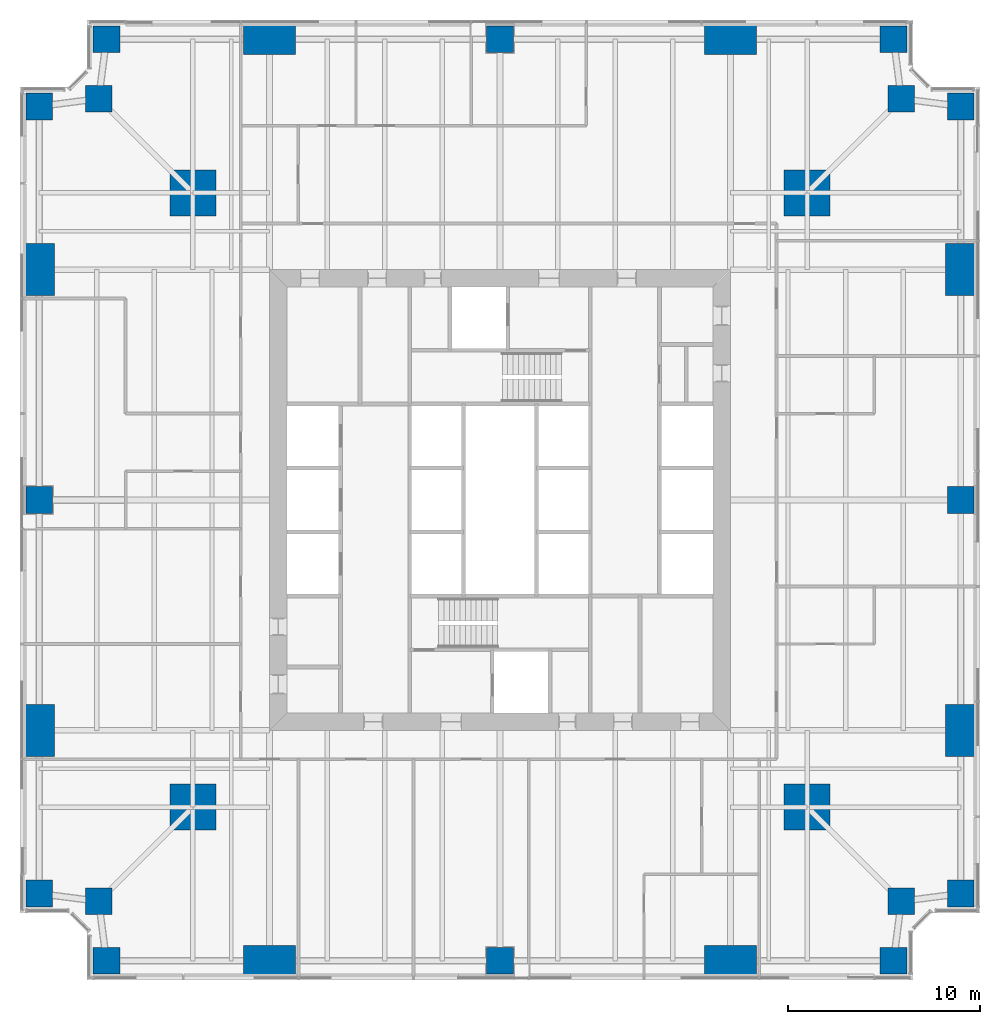
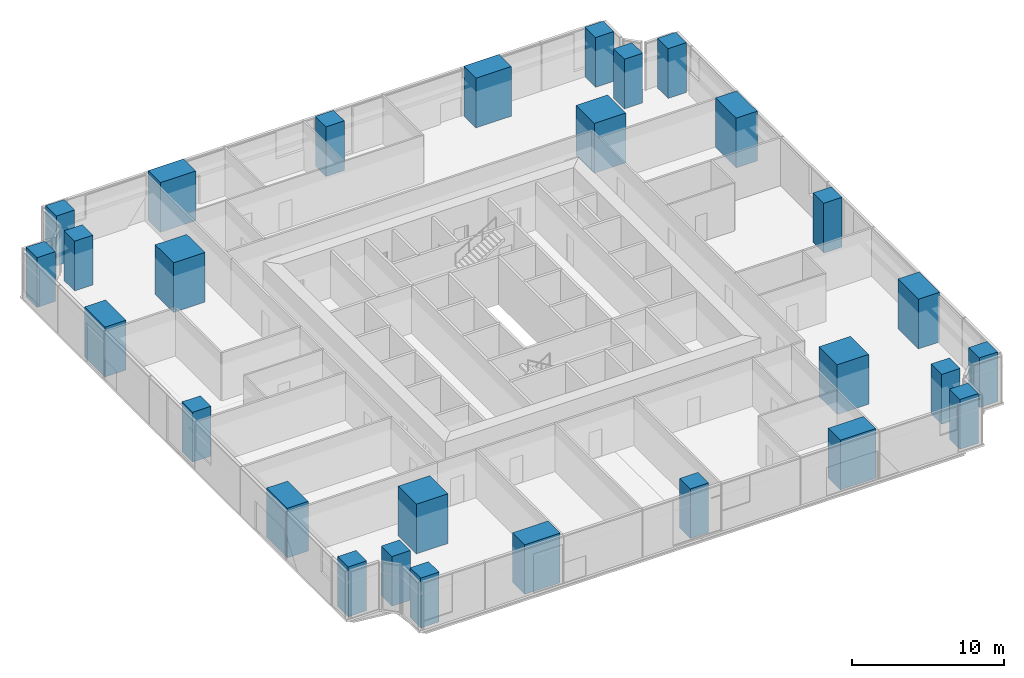
# One storey, part 1 of 14: 28 columns.
"""IFC4 building model written with IfcOpenShell, lengths in metres."""

from ifc_helpers import new_model, si_unit, direction, frame, origin, origin_2d, place, context, subcontext, project, spatial, rectangle, extrude, material, material_profile, profile_set, type_object, element, save


model = new_model("IFC4")

# Units and contexts
model_context = context("Model", 3, precision=1e-05, world=origin(), true_north=direction((0.0, 1.0)))
body_context = subcontext(model_context, "Body", "Model", "MODEL_VIEW")
ifc_project = project(units=[si_unit("LENGTHUNIT", "METRE"), si_unit("AREAUNIT", "SQUARE_METRE"), si_unit("VOLUMEUNIT", "CUBIC_METRE"), si_unit("PLANEANGLEUNIT", "RADIAN"), si_unit("MASSUNIT", "GRAM", prefix="KILO")], contexts=[model_context])

# Site, building, storey
site_placement = place(None, origin())
site = spatial("IfcSite", under=ifc_project, at=site_placement, CompositionType="ELEMENT")
building_placement = place(site_placement, origin())
building = spatial("IfcBuilding", under=site, at=building_placement, Name="Fenwick Lantern Interchange", CompositionType="ELEMENT")
storey_placement = place(building_placement, frame((0.0, 0.0, 71.0)))
storey = spatial("IfcBuildingStorey", under=building, at=storey_placement, Name="L16", CompositionType="ELEMENT", Elevation=71.0)

# Columns
ifc_material = material(Name="Concrete f'c 70 MPa", Category="concrete")
ifc_material_profile_1 = material_profile(ifc_material, rectangle(XDim=2.39990234375, YDim=2.39990234375, at=origin_2d()), Name="RC2400X2400")
ifc_profile_set_1 = profile_set([ifc_material_profile_1], Name="Concrete f'c 70 MPa")
column_type_1 = type_object("IfcColumnType", Name="MEGA COLUMN RC2400X2400", PredefinedType="COLUMN", material=ifc_profile_set_1)
for number, where, z_axis, x_axis, name in (
    (1, (9.0, 9.0, 0.0), (0.0, 0.0, 1.0), (1.0, 0.0, 0.0), "L16/M1"),
    (2, (41.0, 9.0, 0.0), (0.0, 0.0, 1.0), (1.0, 0.0, 0.0), "L16/M2"),
    (3, (41.0, 41.0, 0.0), (0.0, 0.0, 1.0), (1.0, 0.0, 0.0), "L16/M3"),
    (4, (9.0, 41.0, 0.0), (0.0, 0.0, 1.0), (1.0, 0.0, 0.0), "L16/M4"),
):
    element("IfcColumn", number, at=place(storey_placement, frame(where, z_axis=z_axis, x_axis=x_axis)), inside=storey, type_object=column_type_1, Name=name, PredefinedType="COLUMN", context=body_context, shape_type="SweptSolid", body=[
        extrude(rectangle(XDim=2.39990234375, YDim=2.39990234375, at=origin_2d()), origin(), (0.0, 0.0, 1.0), 4.0),
    ])
ifc_material_profile_2 = material_profile(ifc_material, rectangle(XDim=1.39990234375, YDim=1.39990234375, at=origin_2d()), Name="RC1400X1400")
ifc_profile_set_2 = profile_set([ifc_material_profile_2], Name="Concrete f'c 70 MPa")
column_type_2 = type_object("IfcColumnType", Name="PERIMETER COLUMN RC1400X1400", PredefinedType="COLUMN", material=ifc_profile_set_2)
for number, where, z_axis, x_axis, name in (
    (5, (4.5, 1.0, 0.0), (0.0, 0.0, 1.0), (1.0, 0.0, 0.0), "L16/CS1"),
    (6, (25.0, 1.0, 0.0), (0.0, 0.0, 1.0), (1.0, 0.0, 0.0), "L16/CS3"),
    (7, (45.5, 1.0, 0.0), (0.0, 0.0, 1.0), (1.0, 0.0, 0.0), "L16/CS5"),
    (8, (45.89990234375, 4.10009765625, 0.0), (0.0, 0.0, 1.0), (1.0, 0.0, 0.0), "L16/CSR"),
    (9, (49.0, 4.5, 0.0), (0.0, 0.0, 1.0), (1.0, 0.0, 0.0), "L16/CE1"),
    (10, (49.0, 25.0, 0.0), (0.0, 0.0, 1.0), (1.0, 0.0, 0.0), "L16/CE3"),
    (11, (49.0, 45.5, 0.0), (0.0, 0.0, 1.0), (1.0, 0.0, 0.0), "L16/CE5"),
    (12, (45.89990234375, 45.89990234375, 0.0), (0.0, 0.0, 1.0), (1.0, 0.0, 0.0), "L16/CER"),
    (13, (45.5, 49.0, 0.0), (0.0, 0.0, 1.0), (1.0, 0.0, 0.0), "L16/CN1"),
    (14, (25.0, 49.0, 0.0), (0.0, 0.0, 1.0), (1.0, 0.0, 0.0), "L16/CN3"),
    (15, (4.5, 49.0, 0.0), (0.0, 0.0, 1.0), (1.0, 0.0, 0.0), "L16/CN5"),
    (16, (4.10009765625, 45.89990234375, 0.0), (0.0, 0.0, 1.0), (1.0, 0.0, 0.0), "L16/CNR"),
    (17, (1.0, 45.5, 0.0), (0.0, 0.0, 1.0), (1.0, 0.0, 0.0), "L16/CW1"),
    (18, (1.0, 25.0, 0.0), (0.0, 0.0, 1.0), (1.0, 0.0, 0.0), "L16/CW3"),
    (19, (1.0, 4.5, 0.0), (0.0, 0.0, 1.0), (1.0, 0.0, 0.0), "L16/CW5"),
    (20, (4.10009765625, 4.10009765625, 0.0), (0.0, 0.0, 1.0), (1.0, 0.0, 0.0), "L16/CWR"),
):
    element("IfcColumn", number, at=place(storey_placement, frame(where, z_axis=z_axis, x_axis=x_axis)), inside=storey, type_object=column_type_2, Name=name, PredefinedType="COLUMN", context=body_context, shape_type="SweptSolid", body=[
        extrude(rectangle(XDim=1.39990234375, YDim=1.39990234375, at=origin_2d()), origin(), (0.0, 0.0, 1.0), 4.0),
    ])
ifc_material_profile_3 = material_profile(ifc_material, rectangle(XDim=1.60009765625, YDim=2.699951171875, at=origin_2d()), Name="RC1600X2700")
ifc_profile_set_3 = profile_set([ifc_material_profile_3], Name="Concrete f'c 70 MPa")
column_type_3 = type_object("IfcColumnType", Name="PERIMETER COLUMN RC1600X2700", PredefinedType="COLUMN", material=ifc_profile_set_3)
for number, where, z_axis, x_axis, name in (
    (21, (49.0, 13.0, 0.0), (0.0, 0.0, 1.0), (1.0, 0.0, 0.0), "L16/CE2"),
    (22, (49.0, 37.0, 0.0), (0.0, 0.0, 1.0), (1.0, 0.0, 0.0), "L16/CE4"),
    (23, (1.0, 37.0, 0.0), (0.0, 0.0, 1.0), (1.0, 0.0, 0.0), "L16/CW2"),
    (24, (1.0, 13.0, 0.0), (0.0, 0.0, 1.0), (1.0, 0.0, 0.0), "L16/CW4"),
):
    element("IfcColumn", number, at=place(storey_placement, frame(where, z_axis=z_axis, x_axis=x_axis)), inside=storey, type_object=column_type_3, Name=name, PredefinedType="COLUMN", context=body_context, shape_type="SweptSolid", body=[
        extrude(rectangle(XDim=1.60009765625, YDim=2.699951171875, at=origin_2d()), origin(), (0.0, 0.0, 1.0), 4.0),
    ])
ifc_material_profile_4 = material_profile(ifc_material, rectangle(XDim=2.699951171875, YDim=1.60009765625, at=origin_2d()), Name="RC2700X1600")
ifc_profile_set_4 = profile_set([ifc_material_profile_4], Name="Concrete f'c 70 MPa")
column_type_4 = type_object("IfcColumnType", Name="PERIMETER COLUMN RC2700X1600", PredefinedType="COLUMN", material=ifc_profile_set_4)
for number, where, z_axis, x_axis, name in (
    (25, (13.0, 1.0, 0.0), (0.0, 0.0, 1.0), (1.0, 0.0, 0.0), "L16/CS2"),
    (26, (37.0, 1.0, 0.0), (0.0, 0.0, 1.0), (1.0, 0.0, 0.0), "L16/CS4"),
    (27, (37.0, 49.0, 0.0), (0.0, 0.0, 1.0), (1.0, 0.0, 0.0), "L16/CN2"),
    (28, (13.0, 49.0, 0.0), (0.0, 0.0, 1.0), (1.0, 0.0, 0.0), "L16/CN4"),
):
    element("IfcColumn", number, at=place(storey_placement, frame(where, z_axis=z_axis, x_axis=x_axis)), inside=storey, type_object=column_type_4, Name=name, PredefinedType="COLUMN", context=body_context, shape_type="SweptSolid", body=[
        extrude(rectangle(XDim=2.699951171875, YDim=1.60009765625, at=origin_2d()), origin(), (0.0, 0.0, 1.0), 4.0),
    ])

save(model, "model.ifc")
